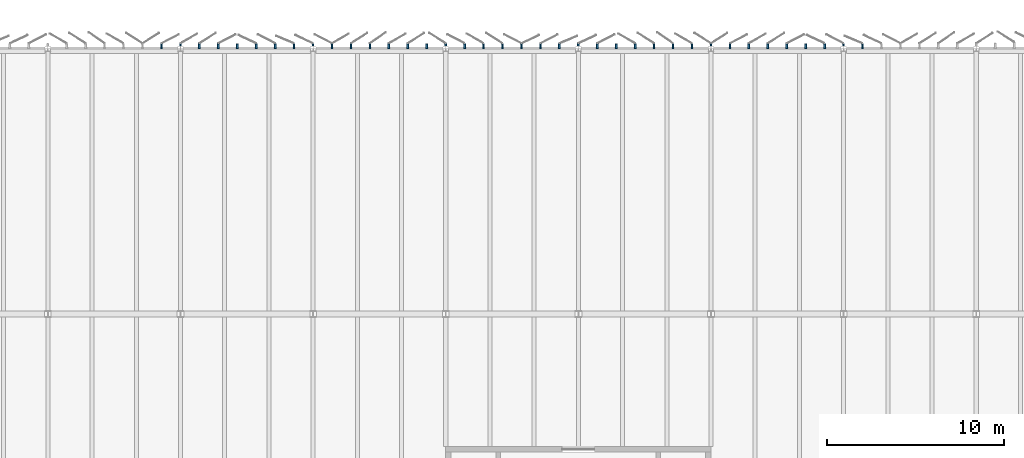
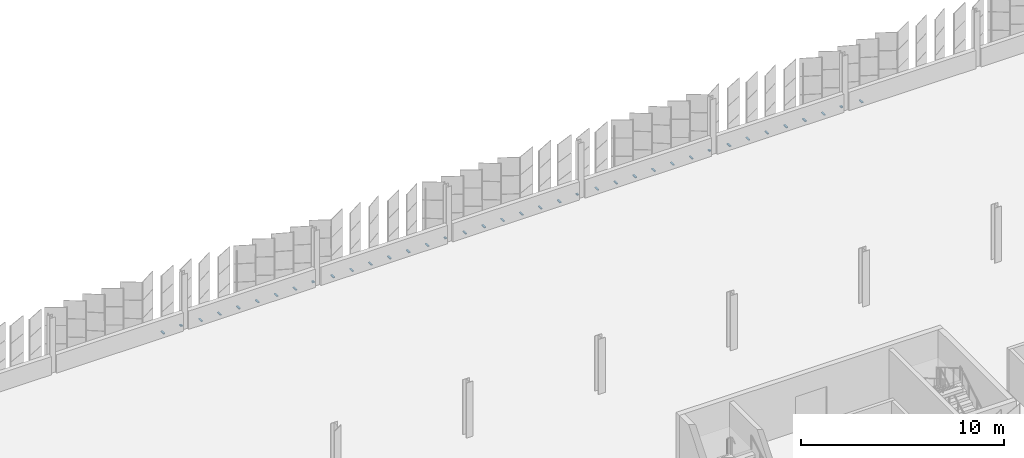
# One storey, part 177 of 199: 38 discrete accessories.
"""IFC4 building model written with IfcOpenShell, lengths in metres."""

from ifc_helpers import new_model, si_unit, direction, frame, origin, origin_2d, place, context, subcontext, project, spatial, rectangle, extrude, material, type_object, element, save


model = new_model("IFC4")

# Units and contexts
model_context = context("Model", 3, precision=1e-05, world=origin(), true_north=direction((0.0, 1.0)))
body_context = subcontext(model_context, "Body", "Model", "MODEL_VIEW")
ifc_project = project(units=[si_unit("LENGTHUNIT", "METRE"), si_unit("AREAUNIT", "SQUARE_METRE"), si_unit("VOLUMEUNIT", "CUBIC_METRE"), si_unit("PLANEANGLEUNIT", "RADIAN"), si_unit("MASSUNIT", "GRAM", prefix="KILO")], contexts=[model_context])

# Site, building, storey
site_placement = place(None, origin())
site = spatial("IfcSite", under=ifc_project, at=site_placement, CompositionType="ELEMENT")
building_placement = place(site_placement, origin())
building = spatial("IfcBuilding", under=site, at=building_placement, Name="Parallax Yard Mobility Hub", CompositionType="ELEMENT")
storey_placement = place(building_placement, frame((0.0, 0.0, 9.89990234375)))
storey = spatial("IfcBuildingStorey", under=building, at=storey_placement, Name="L03", CompositionType="ELEMENT", Elevation=9.89990234375)

# Discrete accessories
ifc_material = material(Name="Steel ASTM A36, hot-dip galvanised", Category="steel")
discrete_accessory_type = type_object("IfcDiscreteAccessoryType", Name="Hinge bracket plate 100x50", PredefinedType="BRACKET", material=ifc_material)
discrete_accessory_1_placement = place(storey_placement, frame((151.07080078125, 142.6416015625, -0.02490234375), z_axis=(0.0, 0.0, 1.0), x_axis=(0.0, 1.0, 0.0)))
element("IfcDiscreteAccessory", 1, at=discrete_accessory_1_placement, inside=storey, type_object=discrete_accessory_type, Name="Hinge bracket plate bay 53.7 level L03", PredefinedType="BRACKET", context=body_context, shape_type="SweptSolid", body=[
    extrude(rectangle(XDim=0.2841796875, YDim=0.10009765625, at=origin_2d()), origin(), (0.0, 0.0, 1.0), 0.050048828125),
])
discrete_accessory_2_placement = place(storey_placement, frame((149.999267578125, 142.71826171875, -0.02490234375), z_axis=(0.0, 0.0, 1.0), x_axis=(0.0, 1.0, 0.0)))
element("IfcDiscreteAccessory", 2, at=discrete_accessory_2_placement, inside=storey, type_object=discrete_accessory_type, Name="Hinge bracket plate bay 54.1 level L03", PredefinedType="BRACKET", context=body_context, shape_type="SweptSolid", body=[
    extrude(rectangle(XDim=0.130615234375, YDim=0.10009765625, at=origin_2d()), origin(), (0.0, 0.0, 1.0), 0.050048828125),
])
for number, where, z_axis, x_axis, name in (
    (3, (148.927490234375, 142.6416015625, -0.02490234375), (0.0, 0.0, 1.0), (0.0, 1.0, 0.0), "Hinge bracket plate bay 54.2 level L03"),
    (4, (147.856201171875, 142.6416015625, -0.02490234375), (0.0, 0.0, 1.0), (0.0, 1.0, 0.0), "Hinge bracket plate bay 54.3 level L03"),
    (5, (146.784423828125, 142.6416015625, -0.02490234375), (0.0, 0.0, 1.0), (0.0, 1.0, 0.0), "Hinge bracket plate bay 54.4 level L03"),
    (6, (145.712890625, 142.6416015625, -0.02490234375), (0.0, 0.0, 1.0), (0.0, 1.0, 0.0), "Hinge bracket plate bay 54.5 level L03"),
    (7, (144.641357421875, 142.6416015625, -0.02490234375), (0.0, 0.0, 1.0), (0.0, 1.0, 0.0), "Hinge bracket plate bay 54.6 level L03"),
    (8, (143.56982421875, 142.6416015625, -0.02490234375), (0.0, 0.0, 1.0), (0.0, 1.0, 0.0), "Hinge bracket plate bay 54.7 level L03"),
):
    element("IfcDiscreteAccessory", number, at=place(storey_placement, frame(where, z_axis=z_axis, x_axis=x_axis)), inside=storey, type_object=discrete_accessory_type, Name=name, PredefinedType="BRACKET", context=body_context, shape_type="SweptSolid", body=[
        extrude(rectangle(XDim=0.2841796875, YDim=0.10009765625, at=origin_2d()), origin(), (0.0, 0.0, 1.0), 0.050048828125),
    ])
discrete_accessory_3_placement = place(storey_placement, frame((142.498291015625, 142.71826171875, -0.02490234375), z_axis=(0.0, 0.0, 1.0), x_axis=(0.0, 1.0, 0.0)))
element("IfcDiscreteAccessory", 9, at=discrete_accessory_3_placement, inside=storey, type_object=discrete_accessory_type, Name="Hinge bracket plate bay 55.1 level L03", PredefinedType="BRACKET", context=body_context, shape_type="SweptSolid", body=[
    extrude(rectangle(XDim=0.130615234375, YDim=0.10009765625, at=origin_2d()), origin(), (0.0, 0.0, 1.0), 0.050048828125),
])
for number, where, z_axis, x_axis, name in (
    (10, (141.4267578125, 142.6416015625, -0.02490234375), (0.0, 0.0, 1.0), (0.0, 1.0, 0.0), "Hinge bracket plate bay 55.2 level L03"),
    (11, (140.355224609375, 142.6416015625, -0.02490234375), (0.0, 0.0, 1.0), (0.0, 1.0, 0.0), "Hinge bracket plate bay 55.3 level L03"),
    (12, (139.28369140625, 142.6416015625, -0.02490234375), (0.0, 0.0, 1.0), (0.0, 1.0, 0.0), "Hinge bracket plate bay 55.4 level L03"),
    (13, (138.212158203125, 142.6416015625, -0.02490234375), (0.0, 0.0, 1.0), (0.0, 1.0, 0.0), "Hinge bracket plate bay 55.5 level L03"),
    (14, (137.140380859375, 142.6416015625, -0.02490234375), (0.0, 0.0, 1.0), (0.0, 1.0, 0.0), "Hinge bracket plate bay 55.6 level L03"),
    (15, (136.069091796875, 142.6416015625, -0.02490234375), (0.0, 0.0, 1.0), (0.0, 1.0, 0.0), "Hinge bracket plate bay 55.7 level L03"),
):
    element("IfcDiscreteAccessory", number, at=place(storey_placement, frame(where, z_axis=z_axis, x_axis=x_axis)), inside=storey, type_object=discrete_accessory_type, Name=name, PredefinedType="BRACKET", context=body_context, shape_type="SweptSolid", body=[
        extrude(rectangle(XDim=0.2841796875, YDim=0.10009765625, at=origin_2d()), origin(), (0.0, 0.0, 1.0), 0.050048828125),
    ])
discrete_accessory_4_placement = place(storey_placement, frame((134.997314453125, 142.71826171875, -0.02490234375), z_axis=(0.0, 0.0, 1.0), x_axis=(0.0, 1.0, 0.0)))
element("IfcDiscreteAccessory", 16, at=discrete_accessory_4_placement, inside=storey, type_object=discrete_accessory_type, Name="Hinge bracket plate bay 56.1 level L03", PredefinedType="BRACKET", context=body_context, shape_type="SweptSolid", body=[
    extrude(rectangle(XDim=0.130615234375, YDim=0.10009765625, at=origin_2d()), origin(), (0.0, 0.0, 1.0), 0.050048828125),
])
for number, where, z_axis, x_axis, name in (
    (17, (133.92578125, 142.6416015625, -0.02490234375), (0.0, 0.0, 1.0), (0.0, 1.0, 0.0), "Hinge bracket plate bay 56.2 level L03"),
    (18, (132.854248046875, 142.6416015625, -0.02490234375), (0.0, 0.0, 1.0), (0.0, 1.0, 0.0), "Hinge bracket plate bay 56.3 level L03"),
    (19, (131.78271484375, 142.6416015625, -0.02490234375), (0.0, 0.0, 1.0), (0.0, 1.0, 0.0), "Hinge bracket plate bay 56.4 level L03"),
    (20, (130.711181640625, 142.6416015625, -0.02490234375), (0.0, 0.0, 1.0), (0.0, 1.0, 0.0), "Hinge bracket plate bay 56.5 level L03"),
    (21, (129.6396484375, 142.6416015625, -0.02490234375), (0.0, 0.0, 1.0), (0.0, 1.0, 0.0), "Hinge bracket plate bay 56.6 level L03"),
    (22, (128.568115234375, 142.6416015625, -0.02490234375), (0.0, 0.0, 1.0), (0.0, 1.0, 0.0), "Hinge bracket plate bay 56.7 level L03"),
):
    element("IfcDiscreteAccessory", number, at=place(storey_placement, frame(where, z_axis=z_axis, x_axis=x_axis)), inside=storey, type_object=discrete_accessory_type, Name=name, PredefinedType="BRACKET", context=body_context, shape_type="SweptSolid", body=[
        extrude(rectangle(XDim=0.2841796875, YDim=0.10009765625, at=origin_2d()), origin(), (0.0, 0.0, 1.0), 0.050048828125),
    ])
discrete_accessory_5_placement = place(storey_placement, frame((127.49658203125, 142.71826171875, -0.02490234375), z_axis=(0.0, 0.0, 1.0), x_axis=(0.0, 1.0, 0.0)))
element("IfcDiscreteAccessory", 23, at=discrete_accessory_5_placement, inside=storey, type_object=discrete_accessory_type, Name="Hinge bracket plate bay 57.1 level L03", PredefinedType="BRACKET", context=body_context, shape_type="SweptSolid", body=[
    extrude(rectangle(XDim=0.130615234375, YDim=0.10009765625, at=origin_2d()), origin(), (0.0, 0.0, 1.0), 0.050048828125),
])
for number, where, z_axis, x_axis, name in (
    (24, (126.425048828125, 142.6416015625, -0.02490234375), (0.0, 0.0, 1.0), (0.0, 1.0, 0.0), "Hinge bracket plate bay 57.2 level L03"),
    (25, (125.353515625, 142.6416015625, -0.02490234375), (0.0, 0.0, 1.0), (0.0, 1.0, 0.0), "Hinge bracket plate bay 57.3 level L03"),
    (26, (124.281982421875, 142.6416015625, -0.02490234375), (0.0, 0.0, 1.0), (0.0, 1.0, 0.0), "Hinge bracket plate bay 57.4 level L03"),
    (27, (123.210205078125, 142.6416015625, -0.02490234375), (0.0, 0.0, 1.0), (0.0, 1.0, 0.0), "Hinge bracket plate bay 57.5 level L03"),
    (28, (122.138916015625, 142.6416015625, -0.02490234375), (0.0, 0.0, 1.0), (0.0, 1.0, 0.0), "Hinge bracket plate bay 57.6 level L03"),
    (29, (121.067138671875, 142.6416015625, -0.02490234375), (0.0, 0.0, 1.0), (0.0, 1.0, 0.0), "Hinge bracket plate bay 57.7 level L03"),
):
    element("IfcDiscreteAccessory", number, at=place(storey_placement, frame(where, z_axis=z_axis, x_axis=x_axis)), inside=storey, type_object=discrete_accessory_type, Name=name, PredefinedType="BRACKET", context=body_context, shape_type="SweptSolid", body=[
        extrude(rectangle(XDim=0.2841796875, YDim=0.10009765625, at=origin_2d()), origin(), (0.0, 0.0, 1.0), 0.050048828125),
    ])
discrete_accessory_6_placement = place(storey_placement, frame((119.99560546875, 142.71826171875, -0.02490234375), z_axis=(0.0, 0.0, 1.0), x_axis=(0.0, 1.0, 0.0)))
element("IfcDiscreteAccessory", 30, at=discrete_accessory_6_placement, inside=storey, type_object=discrete_accessory_type, Name="Hinge bracket plate bay 58.1 level L03", PredefinedType="BRACKET", context=body_context, shape_type="SweptSolid", body=[
    extrude(rectangle(XDim=0.130615234375, YDim=0.10009765625, at=origin_2d()), origin(), (0.0, 0.0, 1.0), 0.050048828125),
])
for number, where, z_axis, x_axis, name in (
    (31, (118.924072265625, 142.6416015625, -0.02490234375), (0.0, 0.0, 1.0), (0.0, 1.0, 0.0), "Hinge bracket plate bay 58.2 level L03"),
    (32, (117.8525390625, 142.6416015625, -0.02490234375), (0.0, 0.0, 1.0), (0.0, 1.0, 0.0), "Hinge bracket plate bay 58.3 level L03"),
    (33, (116.781005859375, 142.6416015625, -0.02490234375), (0.0, 0.0, 1.0), (0.0, 1.0, 0.0), "Hinge bracket plate bay 58.4 level L03"),
    (34, (115.70947265625, 142.6416015625, -0.02490234375), (0.0, 0.0, 1.0), (0.0, 1.0, 0.0), "Hinge bracket plate bay 58.5 level L03"),
    (35, (114.637939453125, 142.6416015625, -0.02490234375), (0.0, 0.0, 1.0), (0.0, 1.0, 0.0), "Hinge bracket plate bay 58.6 level L03"),
    (36, (113.56640625, 142.6416015625, -0.02490234375), (0.0, 0.0, 1.0), (0.0, 1.0, 0.0), "Hinge bracket plate bay 58.7 level L03"),
):
    element("IfcDiscreteAccessory", number, at=place(storey_placement, frame(where, z_axis=z_axis, x_axis=x_axis)), inside=storey, type_object=discrete_accessory_type, Name=name, PredefinedType="BRACKET", context=body_context, shape_type="SweptSolid", body=[
        extrude(rectangle(XDim=0.2841796875, YDim=0.10009765625, at=origin_2d()), origin(), (0.0, 0.0, 1.0), 0.050048828125),
    ])
discrete_accessory_7_placement = place(storey_placement, frame((112.494873046875, 142.71826171875, -0.02490234375), z_axis=(0.0, 0.0, 1.0), x_axis=(0.0, 1.0, 0.0)))
element("IfcDiscreteAccessory", 37, at=discrete_accessory_7_placement, inside=storey, type_object=discrete_accessory_type, Name="Hinge bracket plate bay 59.1 level L03", PredefinedType="BRACKET", context=body_context, shape_type="SweptSolid", body=[
    extrude(rectangle(XDim=0.130615234375, YDim=0.10009765625, at=origin_2d()), origin(), (0.0, 0.0, 1.0), 0.050048828125),
])
discrete_accessory_8_placement = place(storey_placement, frame((111.423095703125, 142.6416015625, -0.02490234375), z_axis=(0.0, 0.0, 1.0), x_axis=(0.0, 1.0, 0.0)))
element("IfcDiscreteAccessory", 38, at=discrete_accessory_8_placement, inside=storey, type_object=discrete_accessory_type, Name="Hinge bracket plate bay 59.2 level L03", PredefinedType="BRACKET", context=body_context, shape_type="SweptSolid", body=[
    extrude(rectangle(XDim=0.2841796875, YDim=0.10009765625, at=origin_2d()), origin(), (0.0, 0.0, 1.0), 0.050048828125),
])

save(model, "model.ifc")
